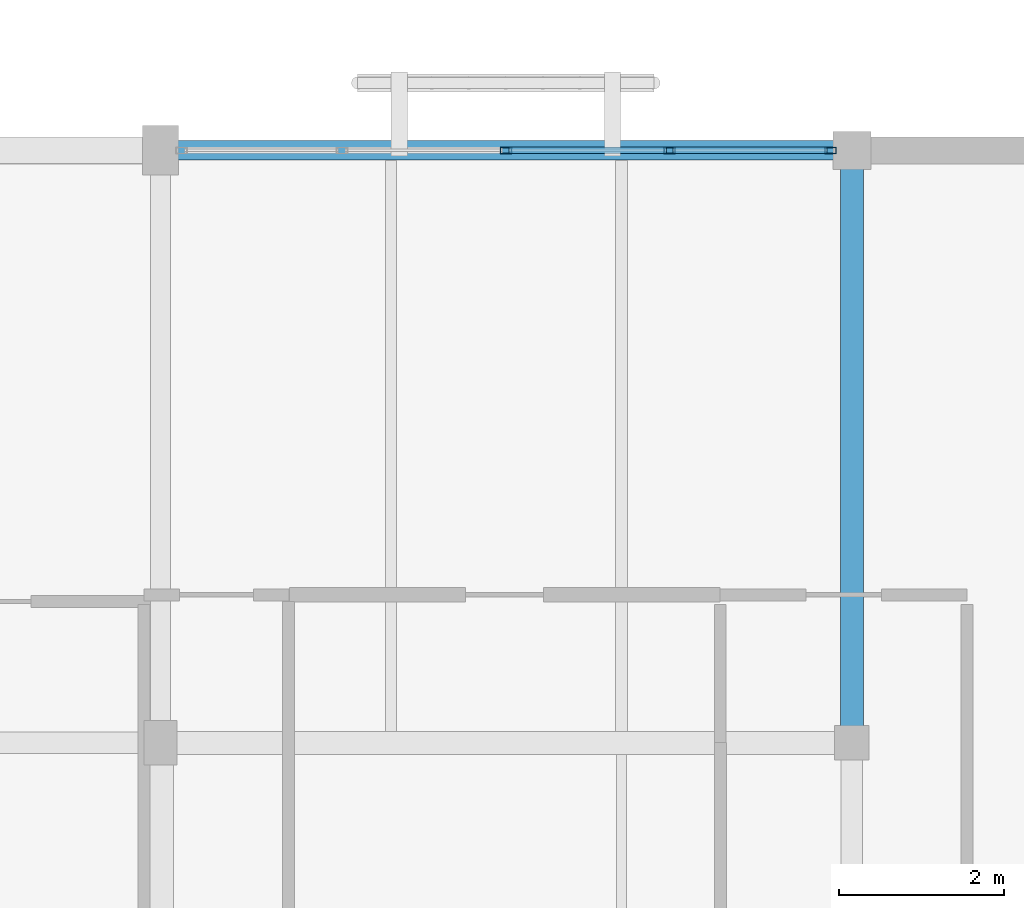
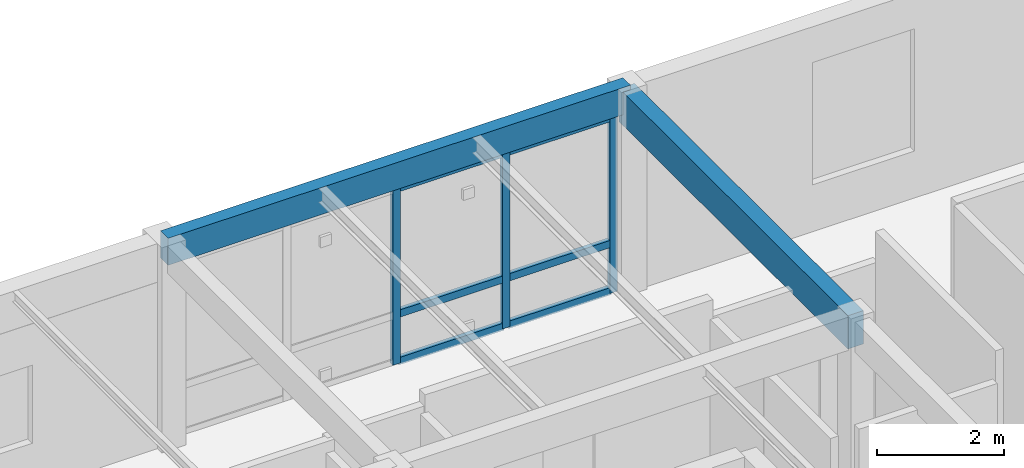
# One storey, part 49 of 217: 9 members, 2 beams, 1 element without a shape of its own.
"""IFC4 building model written with IfcOpenShell, lengths in metres."""

from ifc_helpers import new_model, si_unit, direction, frame, origin, origin_2d, place, context, subcontext, project, spatial, rectangle, hollow_rectangle, extrude, material, layer, layer_set, material_profile, profile_set, type_object, element, aggregate, save


model = new_model("IFC4")

# Units and contexts
model_context = context("Model", 3, precision=1e-05, world=origin(), true_north=direction((0.0, 1.0)))
body_context = subcontext(model_context, "Body", "Model", "MODEL_VIEW")
ifc_project = project(units=[si_unit("LENGTHUNIT", "METRE"), si_unit("AREAUNIT", "SQUARE_METRE"), si_unit("VOLUMEUNIT", "CUBIC_METRE"), si_unit("PLANEANGLEUNIT", "RADIAN"), si_unit("MASSUNIT", "GRAM", prefix="KILO")], contexts=[model_context])

# Site, building, storey
site_placement = place(None, origin())
site = spatial("IfcSite", under=ifc_project, at=site_placement, CompositionType="ELEMENT")
building_placement = place(site_placement, origin())
building = spatial("IfcBuilding", under=site, at=building_placement, Name="Mazaris Harbour Polytechnic", CompositionType="ELEMENT")
storey_placement = place(building_placement, frame((0.0, 0.0, 9.60009765625)))
storey = spatial("IfcBuildingStorey", under=building, at=storey_placement, Name="L02", CompositionType="ELEMENT", Elevation=9.60009765625)

# Curtain wall, members
ifc_material_1 = material(Name="Anodised Bronze Aluminium and Low-E Glass", Category="aluminium")
ifc_layer = layer(ifc_material_1, 0.159912109375, Name="Anodised Bronze Aluminium and Low-E Glass")
ifc_layer_set = layer_set([ifc_layer], Name="Anodised Bronze Aluminium and Low-E Glass")
curtain_wall_type = type_object("IfcCurtainWallType", Name="Cloister Court Curtain Wall", PredefinedType="NOTDEFINED", material=ifc_layer_set)
curtain_wall_placement = place(storey_placement, origin())
curtain_wall = element("IfcCurtainWall", 1, at=curtain_wall_placement, inside=storey, type_object=curtain_wall_type, Name="V3 L02 Curtain Wall 87", PredefinedType="NOTDEFINED")
ifc_material_2 = material(Name="Anodised Bronze Steel S355", Category="steel")
ifc_material_profile_1 = material_profile(ifc_material_2, hollow_rectangle(XDim=0.080078125, YDim=0.139892578125, WallThickness=0.00634765625, at=origin_2d()), Name="RHS 80x140x6.3")
ifc_profile_set_1 = profile_set([ifc_material_profile_1], Name="Anodised Bronze Steel S355")
member_type_1 = type_object("IfcMemberType", Name="Curtain Mullion RHS80x140", PredefinedType="MULLION", material=ifc_profile_set_1)
member_1_placement = place(storey_placement, frame((74.9951171875, 36.0, 0.0), z_axis=(0.0, 0.0, 1.0), x_axis=(0.0, 1.0, 0.0)))
member_1 = element("IfcMember", 2, at=member_1_placement, type_object=member_type_1, Name="CW-02 mullion 3", PredefinedType="MULLION", context=body_context, shape_type="SweptSolid", body=[
    extrude(hollow_rectangle(XDim=0.080078125, YDim=0.139892578125, WallThickness=0.00634765625, at=origin_2d()), origin(), (0.0, 0.0, 1.0), 3.40478515625),
])
member_2_placement = place(storey_placement, frame((76.986572265625, 36.0, 0.0), z_axis=(0.0, 0.0, 1.0), x_axis=(0.0, 1.0, 0.0)))
member_2 = element("IfcMember", 3, at=member_2_placement, type_object=member_type_1, Name="CW-02 mullion 4", PredefinedType="MULLION", context=body_context, shape_type="SweptSolid", body=[
    extrude(hollow_rectangle(XDim=0.080078125, YDim=0.139892578125, WallThickness=0.00634765625, at=origin_2d()), origin(), (0.0, 0.0, 1.0), 3.40478515625),
])
member_3_placement = place(storey_placement, frame((78.93798828125, 36.0, 0.0), z_axis=(0.0, 0.0, 1.0), x_axis=(0.0, 1.0, 0.0)))
member_3 = element("IfcMember", 4, at=member_3_placement, type_object=member_type_1, Name="CW-02 mullion 5", PredefinedType="MULLION", context=body_context, shape_type="SweptSolid", body=[
    extrude(hollow_rectangle(XDim=0.080078125, YDim=0.139892578125, WallThickness=0.00634765625, at=origin_2d()), origin(), (0.0, 0.0, 1.0), 3.40478515625),
])
ifc_material_3 = material(Name="Anodised Bronze Steel S355", Category="steel")
ifc_material_profile_2 = material_profile(ifc_material_3, hollow_rectangle(XDim=0.080078125, YDim=0.139892578125, WallThickness=0.00634765625, at=origin_2d()), Name="RHS 80x140x6.3")
ifc_profile_set_2 = profile_set([ifc_material_profile_2], Name="Anodised Bronze Steel S355")
member_type_2 = type_object("IfcMemberType", Name="Curtain Transom RHS80x140", PredefinedType="USERDEFINED", material=ifc_profile_set_2)
member_4_placement = place(storey_placement, frame((75.034912109375, 36.0, 0.039794921875), z_axis=(1.0, 0.0, 0.0), x_axis=(0.0, 1.0, 0.0)))
member_4 = element("IfcMember", 5, at=member_4_placement, type_object=member_type_2, Name="CW-02 transom 3.1", ObjectType="TRANSOM", PredefinedType="USERDEFINED", context=body_context, shape_type="SweptSolid", body=[
    extrude(hollow_rectangle(XDim=0.080078125, YDim=0.139892578125, WallThickness=0.00634765625, at=origin_2d()), origin(), (0.0, 0.0, 1.0), 1.91162109375),
])
member_5_placement = place(storey_placement, frame((75.034912109375, 36.0, 0.949951171875), z_axis=(1.0, 0.0, 0.0), x_axis=(0.0, 1.0, 0.0)))
member_5 = element("IfcMember", 6, at=member_5_placement, type_object=member_type_2, Name="CW-02 transom 3.2", ObjectType="TRANSOM", PredefinedType="USERDEFINED", context=body_context, shape_type="SweptSolid", body=[
    extrude(hollow_rectangle(XDim=0.080078125, YDim=0.139892578125, WallThickness=0.00634765625, at=origin_2d()), origin(), (0.0, 0.0, 1.0), 1.91162109375),
])
member_6_placement = place(storey_placement, frame((75.034912109375, 36.0, 3.364990234375), z_axis=(1.0, 0.0, 0.0), x_axis=(0.0, 1.0, 0.0)))
member_6 = element("IfcMember", 7, at=member_6_placement, type_object=member_type_2, Name="CW-02 transom 3.3", ObjectType="TRANSOM", PredefinedType="USERDEFINED", context=body_context, shape_type="SweptSolid", body=[
    extrude(hollow_rectangle(XDim=0.080078125, YDim=0.139892578125, WallThickness=0.00634765625, at=origin_2d()), origin(), (0.0, 0.0, 1.0), 1.91162109375),
])
member_7_placement = place(storey_placement, frame((77.026611328125, 36.0, 0.039794921875), z_axis=(1.0, 0.0, 0.0), x_axis=(0.0, 1.0, 0.0)))
member_7 = element("IfcMember", 8, at=member_7_placement, type_object=member_type_2, Name="CW-02 transom 4.1", ObjectType="TRANSOM", PredefinedType="USERDEFINED", context=body_context, shape_type="SweptSolid", body=[
    extrude(hollow_rectangle(XDim=0.080078125, YDim=0.139892578125, WallThickness=0.00634765625, at=origin_2d()), origin(), (0.0, 0.0, 1.0), 1.871337890625),
])
member_8_placement = place(storey_placement, frame((77.026611328125, 36.0, 0.949951171875), z_axis=(1.0, 0.0, 0.0), x_axis=(0.0, 1.0, 0.0)))
member_8 = element("IfcMember", 9, at=member_8_placement, type_object=member_type_2, Name="CW-02 transom 4.2", ObjectType="TRANSOM", PredefinedType="USERDEFINED", context=body_context, shape_type="SweptSolid", body=[
    extrude(hollow_rectangle(XDim=0.080078125, YDim=0.139892578125, WallThickness=0.00634765625, at=origin_2d()), origin(), (0.0, 0.0, 1.0), 1.871337890625),
])
member_9_placement = place(storey_placement, frame((77.026611328125, 36.0, 3.364990234375), z_axis=(1.0, 0.0, 0.0), x_axis=(0.0, 1.0, 0.0)))
member_9 = element("IfcMember", 10, at=member_9_placement, type_object=member_type_2, Name="CW-02 transom 4.3", ObjectType="TRANSOM", PredefinedType="USERDEFINED", context=body_context, shape_type="SweptSolid", body=[
    extrude(hollow_rectangle(XDim=0.080078125, YDim=0.139892578125, WallThickness=0.00634765625, at=origin_2d()), origin(), (0.0, 0.0, 1.0), 1.871337890625),
])
aggregate(curtain_wall, [member_1, member_2, member_3, member_4, member_5, member_6, member_7, member_8, member_9])

# Beams
ifc_material_4 = material(Name="Glulam GL32h", Category="wood")
ifc_material_profile_3 = material_profile(ifc_material_4, rectangle(XDim=0.239990234375, YDim=0.52001953125, at=origin_2d()), Name="RECT240x520")
ifc_profile_set_3 = profile_set([ifc_material_profile_3], Name="Glulam GL32h")
beam_type_1 = type_object("IfcBeamType", Name="Glulam Girder 240x520 Exterior", PredefinedType="BEAM", material=ifc_profile_set_3)
beam_1_placement = place(storey_placement, frame((70.800048828125, 36.0, 3.6748046875), z_axis=(1.0, 0.0, 0.0), x_axis=(0.0, 1.0, 0.0)))
element("IfcBeam", 11, at=beam_1_placement, inside=storey, type_object=beam_type_1, Name="V3 L02 Girder 1065", PredefinedType="BEAM", context=body_context, shape_type="SweptSolid", body=[
    extrude(rectangle(XDim=0.239990234375, YDim=0.52001953125, at=origin_2d()), origin(), (0.0, 0.0, 1.0), 8.39990234375),
])
ifc_material_5 = material(Name="Glulam GL32h", Category="wood")
ifc_material_profile_4 = material_profile(ifc_material_5, rectangle(XDim=0.280029296875, YDim=0.639892578125, at=origin_2d()), Name="RECT280x640")
ifc_profile_set_4 = profile_set([ifc_material_profile_4], Name="Glulam GL32h")
beam_type_2 = type_object("IfcBeamType", Name="Glulam Girder 280x640 Exterior", PredefinedType="BEAM", material=ifc_profile_set_4)
beam_2_placement = place(storey_placement, frame((79.199951171875, 28.800048828125, 3.52978515625), z_axis=(0.0, 1.0, 0.0), x_axis=(-1.0, 0.0, 0.0)))
element("IfcBeam", 12, at=beam_2_placement, inside=storey, type_object=beam_type_2, Name="V3 L02 Tie Girder 1072", PredefinedType="BEAM", context=body_context, shape_type="SweptSolid", body=[
    extrude(rectangle(XDim=0.280029296875, YDim=0.639892578125, at=origin_2d()), origin(), (0.0, 0.0, 1.0), 7.199951171875),
])

save(model, "model.ifc")
